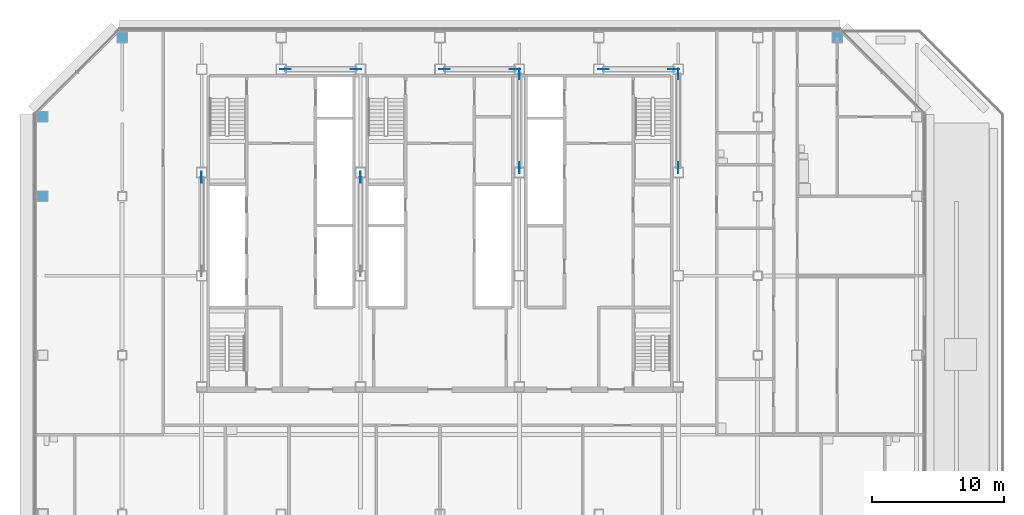
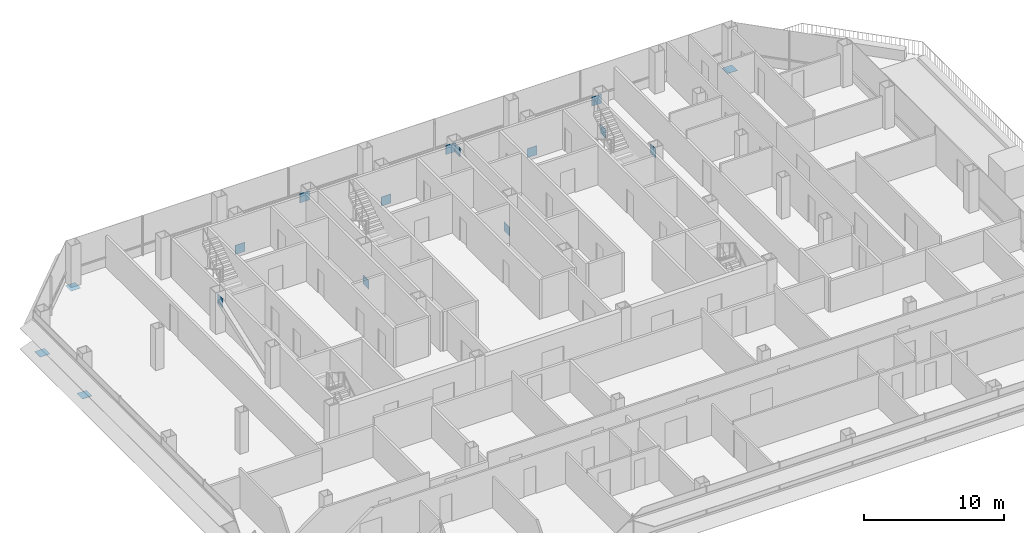
# One storey, part 23 of 28: 16 discrete accessories.
"""IFC4 building model written with IfcOpenShell, lengths in metres."""

from ifc_helpers import new_model, si_unit, direction, frame, origin, origin_2d, place, context, subcontext, project, spatial, rectangle, extrude, material, layer, layer_set, type_object, element, save


model = new_model("IFC4")

# Units and contexts
model_context = context("Model", 3, precision=1e-05, world=origin(), true_north=direction((0.0, 1.0)))
body_context = subcontext(model_context, "Body", "Model", "MODEL_VIEW")
ifc_project = project(units=[si_unit("LENGTHUNIT", "METRE"), si_unit("AREAUNIT", "SQUARE_METRE"), si_unit("VOLUMEUNIT", "CUBIC_METRE"), si_unit("PLANEANGLEUNIT", "RADIAN"), si_unit("MASSUNIT", "GRAM", prefix="KILO")], contexts=[model_context])

# Site, building, storey
site_placement = place(None, origin())
site = spatial("IfcSite", under=ifc_project, at=site_placement, CompositionType="ELEMENT")
building_placement = place(site_placement, origin())
building = spatial("IfcBuilding", under=site, at=building_placement, Name="Sorahane Residences", CompositionType="ELEMENT")
storey_placement = place(building_placement, frame((0.0, 0.0, 96.199951171875)))
storey = spatial("IfcBuildingStorey", under=building, at=storey_placement, Name="L20", CompositionType="ELEMENT", Elevation=96.199951171875)

# Discrete accessories
ifc_material_1 = material(Name="Steel Q355B", Category="steel")
ifc_layer_1 = layer(ifc_material_1, 0.02001953125)
ifc_layer_set_1 = layer_set([ifc_layer_1], Name="End plate Steel Q355B 800x800x20")
discrete_accessory_type_1 = type_object("IfcDiscreteAccessoryType", Name="End plate Steel Q355B 800x800x20", PredefinedType="USERDEFINED", material=ifc_layer_set_1)
for number, where, z_axis, x_axis, name in (
    (1, (0.0, 48.0, -0.320068359375), (0.0, 0.0, 1.0), (1.0, 0.0, 0.0), "End plate L20"),
    (2, (54.0, 48.0, -0.320068359375), (0.0, 0.0, 1.0), (1.0, 0.0, 0.0), "End plate L20"),
    (3, (-6.0, 36.0, -0.320068359375), (0.0, 0.0, 1.0), (1.0, 0.0, 0.0), "End plate L20"),
    (4, (-6.0, 42.0, -0.320068359375), (0.0, 0.0, 1.0), (1.0, 0.0, 0.0), "End plate L20"),
):
    element("IfcDiscreteAccessory", number, at=place(storey_placement, frame(where, z_axis=z_axis, x_axis=x_axis)), inside=storey, type_object=discrete_accessory_type_1, Name=name, ObjectType="END PLATE", PredefinedType="USERDEFINED", context=body_context, shape_type="SweptSolid", body=[
        extrude(rectangle(XDim=0.800048828125, YDim=0.800048828125, at=origin_2d()), origin(), (0.0, 0.0, 1.0), 0.02001953125),
    ])
ifc_material_2 = material(Name="Steel Q355B", Category="steel")
ifc_layer_2 = layer(ifc_material_2, 0.02490234375)
ifc_layer_set_2 = layer_set([ifc_layer_2], Name="Node plate Steel Q355B 25")
discrete_accessory_type_2 = type_object("IfcDiscreteAccessoryType", Name="Node plate Steel Q355B 25", PredefinedType="BRACKET", material=ifc_layer_set_2)
for number, where, z_axis, x_axis, name in (
    (5, (6.0, 37.44140625, 2.38525390625), (0.0, 0.0, 1.0), (0.0, 1.0, 0.0), "Node plate L20 br"),
    (6, (18.0, 37.44140625, -0.21533203125), (0.0, 0.0, 1.0), (0.0, 1.0, 0.0), "Node plate L20 br"),
    (7, (30.0, 38.15869140625, -0.21533203125), (0.0, 0.0, 1.0), (0.0, 1.0, 0.0), "Node plate L20 br"),
    (8, (30.0, 45.241455078125, 2.38525390625), (0.0, 0.0, 1.0), (0.0, 1.0, 0.0), "Node plate L20 br"),
    (9, (42.0, 45.241455078125, -0.21533203125), (0.0, 0.0, 1.0), (0.0, 1.0, 0.0), "Node plate L20 br"),
    (10, (42.0, 38.15869140625, 2.38525390625), (0.0, 0.0, 1.0), (0.0, 1.0, 0.0), "Node plate L20 br"),
    (11, (12.3466796875, 45.60009765625, -0.22607421875), (0.0, 0.0, 1.0), (1.0, 0.0, 0.0), "Node plate L20 br"),
    (12, (24.3466796875, 45.60009765625, -0.22607421875), (0.0, 0.0, 1.0), (1.0, 0.0, 0.0), "Node plate L20 br"),
    (13, (36.3466796875, 45.60009765625, -0.22607421875), (0.0, 0.0, 1.0), (1.0, 0.0, 0.0), "Node plate L20 br"),
    (14, (17.6533203125, 45.60009765625, 2.396484375), (0.0, 0.0, 1.0), (1.0, 0.0, 0.0), "Node plate L20 br"),
    (15, (29.6533203125, 45.60009765625, 2.396484375), (0.0, 0.0, 1.0), (1.0, 0.0, 0.0), "Node plate L20 br"),
    (16, (41.6533203125, 45.60009765625, 2.396484375), (0.0, 0.0, 1.0), (1.0, 0.0, 0.0), "Node plate L20 br"),
):
    element("IfcDiscreteAccessory", number, at=place(storey_placement, frame(where, z_axis=z_axis, x_axis=x_axis)), inside=storey, type_object=discrete_accessory_type_2, Name=name, PredefinedType="BRACKET", context=body_context, shape_type="SweptSolid", body=[
        extrude(rectangle(XDim=0.800048828125, YDim=0.02490234375, at=origin_2d()), origin(), (0.0, 0.0, 1.0), 0.800048828125),
    ])

save(model, "model.ifc")
